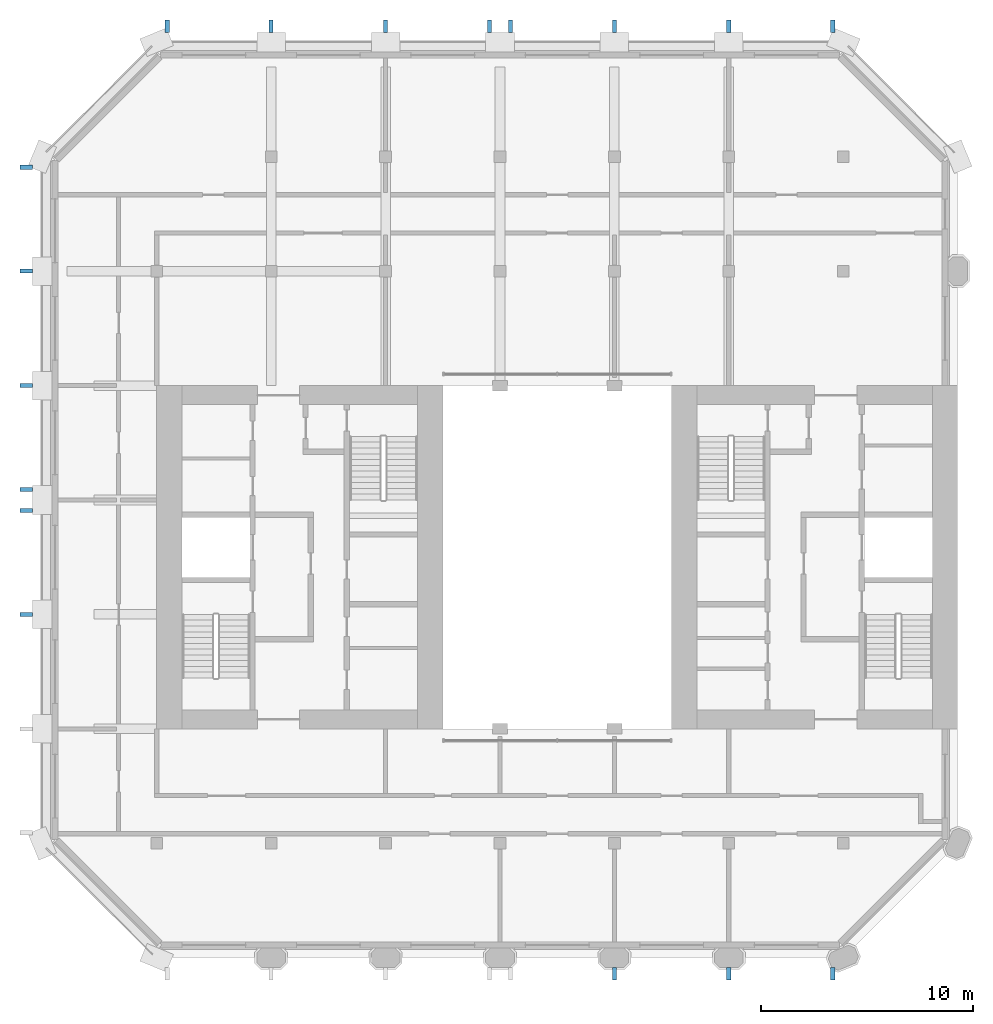
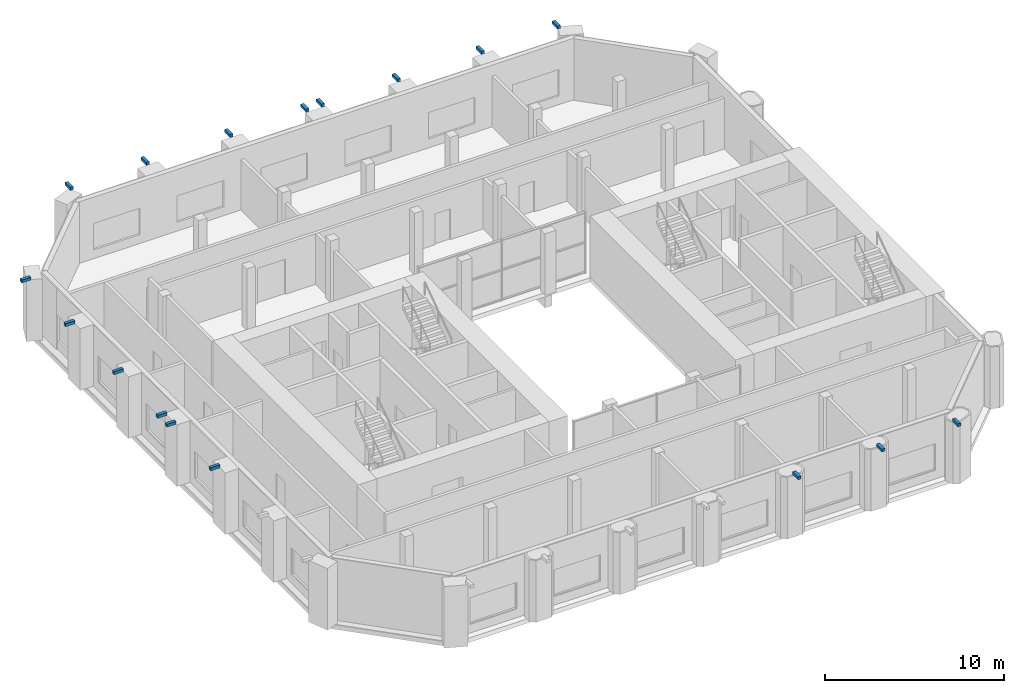
# One storey, part 10 of 12: 17 discrete accessories.
"""IFC4 building model written with IfcOpenShell, lengths in metres."""

from ifc_helpers import new_model, si_unit, direction, frame, origin, origin_2d, place, context, subcontext, project, spatial, rectangle, extrude, element, save


model = new_model("IFC4")

# Units and contexts
model_context = context("Model", 3, precision=1e-05, world=origin(), true_north=direction((0.0, 1.0)))
body_context = subcontext(model_context, "Body", "Model", "MODEL_VIEW")
ifc_project = project(units=[si_unit("LENGTHUNIT", "METRE"), si_unit("AREAUNIT", "SQUARE_METRE"), si_unit("VOLUMEUNIT", "CUBIC_METRE"), si_unit("PLANEANGLEUNIT", "RADIAN"), si_unit("MASSUNIT", "GRAM", prefix="KILO")], contexts=[model_context])

# Site, building, storey
site_placement = place(None, origin())
site = spatial("IfcSite", under=ifc_project, at=site_placement, CompositionType="ELEMENT")
building_placement = place(site_placement, origin())
building = spatial("IfcBuilding", under=site, at=building_placement, Name="Tabaq Tower and Sports Hall", CompositionType="ELEMENT")
storey_placement = place(building_placement, frame((0.0, 0.0, 317.199951171875)))
storey = spatial("IfcBuildingStorey", under=building, at=storey_placement, Name="L79", CompositionType="ELEMENT", Elevation=317.199951171875)

# Discrete accessories
for number, where, z_axis, x_axis, name in (
    (1, (27.0, 4.64990234375, 4.2001953125), (0.0, 0.0, 1.0), (0.0, -1.0, 0.0), "Stainless steel bracket"),
    (2, (32.39990234375, 4.64990234375, 4.2001953125), (0.0, 0.0, 1.0), (0.0, -1.0, 0.0), "Stainless steel bracket"),
    (3, (37.300048828125, 4.64990234375, 4.2001953125), (0.0, 0.0, 1.0), (0.0, -1.0, 0.0), "Stainless steel bracket"),
    (4, (37.300048828125, 49.35009765625, 4.2001953125), (0.0, 0.0, 1.0), (0.0, 1.0, 0.0), "Stainless steel bracket"),
    (5, (32.39990234375, 49.35009765625, 4.2001953125), (0.0, 0.0, 1.0), (0.0, 1.0, 0.0), "Stainless steel bracket"),
    (6, (27.0, 49.35009765625, 4.2001953125), (0.0, 0.0, 1.0), (0.0, 1.0, 0.0), "Stainless steel bracket"),
    (7, (22.10009765625, 49.35009765625, 4.2001953125), (0.0, 0.0, 1.0), (0.0, 1.0, 0.0), "Stainless steel bracket"),
    (8, (21.10009765625, 49.35009765625, 4.2001953125), (0.0, 0.0, 1.0), (0.0, 1.0, 0.0), "Stainless steel bracket"),
    (9, (16.199951171875, 49.35009765625, 4.2001953125), (0.0, 0.0, 1.0), (0.0, 1.0, 0.0), "Stainless steel bracket"),
    (10, (10.800048828125, 49.35009765625, 4.2001953125), (0.0, 0.0, 1.0), (0.0, 1.0, 0.0), "Stainless steel bracket"),
    (11, (5.89990234375, 49.35009765625, 4.2001953125), (0.0, 0.0, 1.0), (0.0, 1.0, 0.0), "Stainless steel bracket"),
    (12, (-0.75, 42.699951171875, 4.2001953125), (0.0, 0.0, 1.0), (-1.0, 0.0, 0.0), "Stainless steel bracket"),
    (13, (-0.75, 37.800048828125, 4.2001953125), (0.0, 0.0, 1.0), (-1.0, 0.0, 0.0), "Stainless steel bracket"),
    (14, (-0.75, 32.39990234375, 4.2001953125), (0.0, 0.0, 1.0), (-1.0, 0.0, 0.0), "Stainless steel bracket"),
    (15, (-0.75, 27.5, 4.2001953125), (0.0, 0.0, 1.0), (-1.0, 0.0, 0.0), "Stainless steel bracket"),
    (16, (-0.75, 26.5, 4.2001953125), (0.0, 0.0, 1.0), (-1.0, 0.0, 0.0), "Stainless steel bracket"),
    (17, (-0.75, 21.60009765625, 4.2001953125), (0.0, 0.0, 1.0), (-1.0, 0.0, 0.0), "Stainless steel bracket"),
):
    element("IfcDiscreteAccessory", number, at=place(storey_placement, frame(where, z_axis=z_axis, x_axis=x_axis)), inside=storey, Name=name, PredefinedType="BRACKET", context=body_context, shape_type="SweptSolid", body=[
        extrude(rectangle(XDim=0.60009765625, YDim=0.199951171875, at=origin_2d()), origin(), (0.0, 0.0, 1.0), 0.199951171875),
    ])

save(model, "model.ifc")
